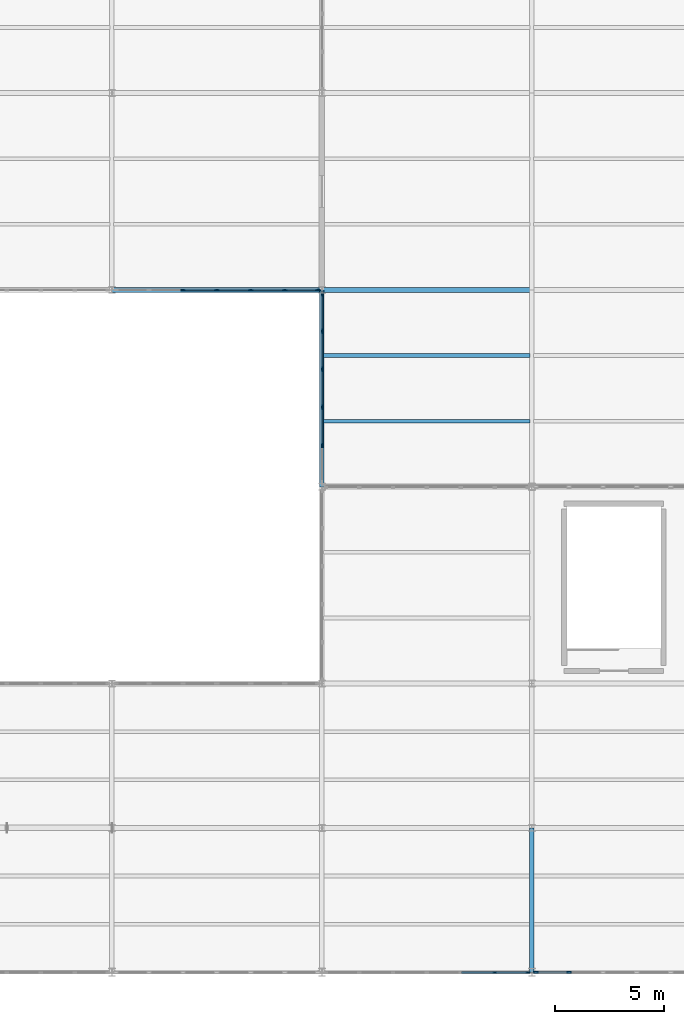
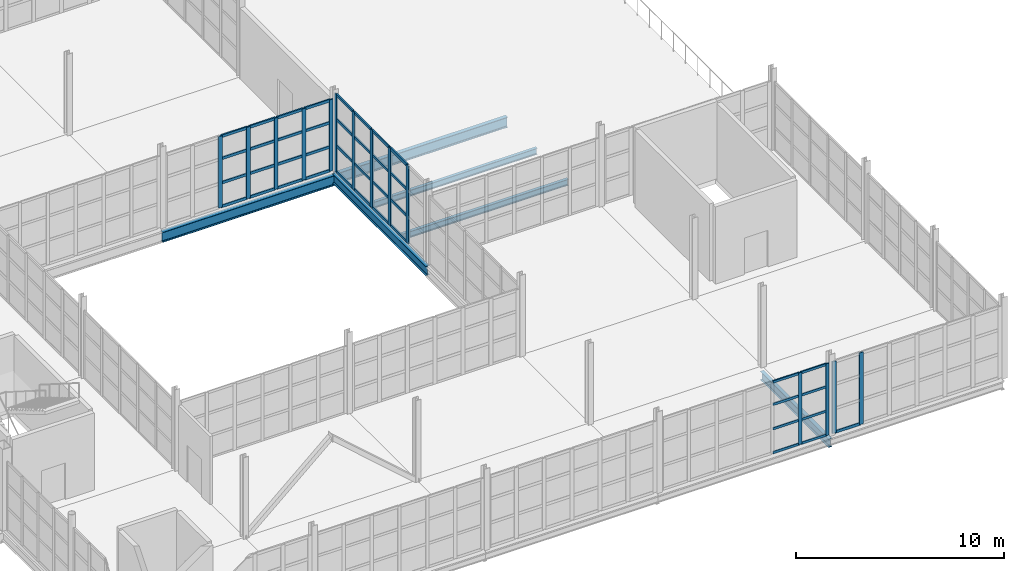
# One storey, part 64 of 120: 55 members, 6 beams, 4 elements without a shape of their own.
"""IFC4 building model written with IfcOpenShell, lengths in metres."""

from ifc_helpers import new_model, si_unit, direction, frame, origin, origin_2d, place, context, subcontext, project, spatial, rectangle, i_section, extrude, material, layer, layer_set, material_profile, profile_set, type_object, element, aggregate, save


model = new_model("IFC4")

# Units and contexts
model_context = context("Model", 3, precision=1e-05, world=origin(), true_north=direction((0.0, 1.0)))
body_context = subcontext(model_context, "Body", "Model", "MODEL_VIEW")
ifc_project = project(units=[si_unit("LENGTHUNIT", "METRE"), si_unit("AREAUNIT", "SQUARE_METRE"), si_unit("VOLUMEUNIT", "CUBIC_METRE"), si_unit("PLANEANGLEUNIT", "RADIAN"), si_unit("MASSUNIT", "GRAM", prefix="KILO")], contexts=[model_context])

# Site, building, storey
site_placement = place(None, origin())
site = spatial("IfcSite", under=ifc_project, at=site_placement, CompositionType="ELEMENT")
building_placement = place(site_placement, origin())
building = spatial("IfcBuilding", under=site, at=building_placement, Name="Zarnetskaya Central Station", CompositionType="ELEMENT")
storey_placement = place(building_placement, frame((0.0, 0.0, 5.39990234375)))
storey = spatial("IfcBuildingStorey", under=building, at=storey_placement, Name="L01", CompositionType="ELEMENT", Elevation=5.39990234375)

# Beams
ifc_material_1 = material(Name="Steel S355", Category="steel")
ifc_material_profile_1 = material_profile(ifc_material_1, i_section(OverallWidth=0.169921875, OverallDepth=0.360107421875, WebThickness=0.008056640625, FlangeThickness=0.0126953125, FilletRadius=0.01806640625, at=origin_2d()), Name="IPE 360")
ifc_profile_set_1 = profile_set([ifc_material_profile_1], Name="Steel S355")
beam_type_1 = type_object("IfcBeamType", Name="BM-SEC-360", PredefinedType="BEAM", material=ifc_profile_set_1)
for number, where, z_axis, x_axis, name in (
    (1, (153.679931640625, 25.199951171875, -0.39990234375), (1.0, 0.0, 0.0), (0.0, 1.0, 0.0), "Secondary floor beam SEC-L01-Z518-ST-45-1"),
    (2, (153.679931640625, 28.199951171875, -0.39990234375), (1.0, 0.0, 0.0), (0.0, 1.0, 0.0), "Secondary floor beam SEC-L01-Z518-ST-45-2"),
):
    element("IfcBeam", number, at=place(storey_placement, frame(where, z_axis=z_axis, x_axis=x_axis)), inside=storey, type_object=beam_type_1, Name=name, PredefinedType="BEAM", context=body_context, shape_type="SweptSolid", body=[
        extrude(i_section(OverallWidth=0.169921875, OverallDepth=0.360107421875, WebThickness=0.008056640625, FlangeThickness=0.0126953125, FilletRadius=0.01806640625, at=origin_2d()), origin(), (0.0, 0.0, 1.0), 9.440185546875),
    ])

# Curtain wall, members
ifc_material_2 = material(Name="Low-E insulated glass", Category="glass")
ifc_layer = layer(ifc_material_2, 0.159912109375, Name="Low-E insulated glass", Category="glass")
ifc_layer_set = layer_set([ifc_layer], Name="Low-E insulated glass")
curtain_wall_type = type_object("IfcCurtainWallType", Name="CW-SYS-06", PredefinedType="USERDEFINED", material=ifc_layer_set)
curtain_wall_1_placement = place(storey_placement, origin())
curtain_wall_1 = element("IfcCurtainWall", 3, at=curtain_wall_1_placement, inside=storey, type_object=curtain_wall_type, Name="Curtain wall CW-L01-123", ObjectType="CURTAIN WALL", PredefinedType="USERDEFINED")
ifc_material_3 = material(Name="Anodised aluminium", Category="aluminium")
ifc_material_profile_2 = material_profile(ifc_material_3, rectangle(XDim=0.070068359375, YDim=0.179931640625, at=origin_2d()), Name="ALU MULL 70x180")
ifc_profile_set_2 = profile_set([ifc_material_profile_2], Name="Anodised aluminium")
member_type_1 = type_object("IfcMemberType", Name="CW-MULL-180", PredefinedType="MULLION", material=ifc_profile_set_2)
member_1_placement = place(storey_placement, frame((163.014892578125, 0.0, 0.0), z_axis=(0.0, 0.0, 1.0), x_axis=(0.0, -1.0, 0.0)))
member_1 = element("IfcMember", 4, at=member_1_placement, type_object=member_type_1, Name="CW-02 mullion 1", PredefinedType="MULLION", context=body_context, shape_type="SweptSolid", body=[
    extrude(rectangle(XDim=0.070068359375, YDim=0.179931640625, at=origin_2d()), origin(), (0.0, 0.0, 1.0), 4.22021484375),
])
member_2_placement = place(storey_placement, frame((161.5, 0.0, 0.0), z_axis=(0.0, 0.0, 1.0), x_axis=(0.0, -1.0, 0.0)))
member_2 = element("IfcMember", 5, at=member_2_placement, type_object=member_type_1, Name="CW-02 mullion 2", PredefinedType="MULLION", context=body_context, shape_type="SweptSolid", body=[
    extrude(rectangle(XDim=0.070068359375, YDim=0.179931640625, at=origin_2d()), origin(), (0.0, 0.0, 1.0), 4.22021484375),
])

curtain_wall_2_placement = place(storey_placement, origin())
curtain_wall_2 = element("IfcCurtainWall", 6, at=curtain_wall_2_placement, inside=storey, type_object=curtain_wall_type, Name="Curtain wall CW-L01-116", ObjectType="CURTAIN WALL", PredefinedType="USERDEFINED")
ifc_material_profile_3 = material_profile(ifc_material_3, rectangle(XDim=0.080078125, YDim=0.219970703125, at=origin_2d()), Name="ALU MULL 80x220")
ifc_profile_set_3 = profile_set([ifc_material_profile_3], Name="Anodised aluminium")
member_type_2 = type_object("IfcMemberType", Name="CW-MULL-220", PredefinedType="MULLION", material=ifc_profile_set_3)
member_3_placement = place(storey_placement, frame((153.60009765625, 31.010009765625, 0.0), z_axis=(0.0, 0.0, 1.0), x_axis=(1.0, 0.0, 0.0)))
member_3 = element("IfcMember", 7, at=member_3_placement, type_object=member_type_2, Name="CW-02 mullion 1", PredefinedType="MULLION", context=body_context, shape_type="SweptSolid", body=[
    extrude(rectangle(XDim=0.080078125, YDim=0.219970703125, at=origin_2d()), origin(), (0.0, 0.0, 1.0), 4.570068359375),
])
member_4_placement = place(storey_placement, frame((153.60009765625, 29.31005859375, 0.0), z_axis=(0.0, 0.0, 1.0), x_axis=(1.0, 0.0, 0.0)))
member_4 = element("IfcMember", 8, at=member_4_placement, type_object=member_type_2, Name="CW-02 mullion 2", PredefinedType="MULLION", context=body_context, shape_type="SweptSolid", body=[
    extrude(rectangle(XDim=0.080078125, YDim=0.219970703125, at=origin_2d()), origin(), (0.0, 0.0, 1.0), 4.570068359375),
])
member_5_placement = place(storey_placement, frame((153.60009765625, 27.570068359375, 0.0), z_axis=(0.0, 0.0, 1.0), x_axis=(1.0, 0.0, 0.0)))
member_5 = element("IfcMember", 9, at=member_5_placement, type_object=member_type_2, Name="CW-02 mullion 3", PredefinedType="MULLION", context=body_context, shape_type="SweptSolid", body=[
    extrude(rectangle(XDim=0.080078125, YDim=0.219970703125, at=origin_2d()), origin(), (0.0, 0.0, 1.0), 4.570068359375),
])
member_6_placement = place(storey_placement, frame((153.60009765625, 25.830078125, 0.0), z_axis=(0.0, 0.0, 1.0), x_axis=(1.0, 0.0, 0.0)))
member_6 = element("IfcMember", 10, at=member_6_placement, type_object=member_type_2, Name="CW-02 mullion 4", PredefinedType="MULLION", context=body_context, shape_type="SweptSolid", body=[
    extrude(rectangle(XDim=0.080078125, YDim=0.219970703125, at=origin_2d()), origin(), (0.0, 0.0, 1.0), 4.570068359375),
])
member_7_placement = place(storey_placement, frame((153.60009765625, 24.090087890625, 0.0), z_axis=(0.0, 0.0, 1.0), x_axis=(1.0, 0.0, 0.0)))
member_7 = element("IfcMember", 11, at=member_7_placement, type_object=member_type_2, Name="CW-02 mullion 5", PredefinedType="MULLION", context=body_context, shape_type="SweptSolid", body=[
    extrude(rectangle(XDim=0.080078125, YDim=0.219970703125, at=origin_2d()), origin(), (0.0, 0.0, 1.0), 4.570068359375),
])

curtain_wall_3_placement = place(storey_placement, origin())
curtain_wall_3 = element("IfcCurtainWall", 12, at=curtain_wall_3_placement, inside=storey, type_object=curtain_wall_type, Name="Curtain wall CW-L01-122", ObjectType="CURTAIN WALL", PredefinedType="USERDEFINED")
member_8_placement = place(storey_placement, frame((164.89990234375, 0.0, 0.0), z_axis=(0.0, 0.0, 1.0), x_axis=(0.0, -1.0, 0.0)))
member_8 = element("IfcMember", 13, at=member_8_placement, type_object=member_type_2, Name="CW-02 mullion 6", PredefinedType="MULLION", context=body_context, shape_type="SweptSolid", body=[
    extrude(rectangle(XDim=0.080078125, YDim=0.219970703125, at=origin_2d()), origin(), (0.0, 0.0, 1.0), 4.22021484375),
])
member_9_placement = place(storey_placement, frame((163.389892578125, 0.0, 0.0), z_axis=(0.0, 0.0, 1.0), x_axis=(0.0, -1.0, 0.0)))
member_9 = element("IfcMember", 14, at=member_9_placement, type_object=member_type_2, Name="CW-02 mullion 7", PredefinedType="MULLION", context=body_context, shape_type="SweptSolid", body=[
    extrude(rectangle(XDim=0.080078125, YDim=0.219970703125, at=origin_2d()), origin(), (0.0, 0.0, 1.0), 4.22021484375),
])

curtain_wall_4_placement = place(storey_placement, origin())
curtain_wall_4 = element("IfcCurtainWall", 15, at=curtain_wall_4_placement, inside=storey, type_object=curtain_wall_type, Name="Curtain wall CW-L01-130", ObjectType="CURTAIN WALL", PredefinedType="USERDEFINED")
member_10_placement = place(storey_placement, frame((153.409912109375, 31.199951171875, 0.0), z_axis=(0.0, 0.0, 1.0), x_axis=(0.0, -1.0, 0.0)))
member_10 = element("IfcMember", 16, at=member_10_placement, type_object=member_type_2, Name="CW-02 mullion 1", PredefinedType="MULLION", context=body_context, shape_type="SweptSolid", body=[
    extrude(rectangle(XDim=0.080078125, YDim=0.219970703125, at=origin_2d()), origin(), (0.0, 0.0, 1.0), 4.2001953125),
])
member_11_placement = place(storey_placement, frame((151.89990234375, 31.199951171875, 0.0), z_axis=(0.0, 0.0, 1.0), x_axis=(0.0, -1.0, 0.0)))
member_11 = element("IfcMember", 17, at=member_11_placement, type_object=member_type_2, Name="CW-02 mullion 2", PredefinedType="MULLION", context=body_context, shape_type="SweptSolid", body=[
    extrude(rectangle(XDim=0.080078125, YDim=0.219970703125, at=origin_2d()), origin(), (0.0, 0.0, 1.0), 4.2001953125),
])
member_12_placement = place(storey_placement, frame((150.35009765625, 31.199951171875, 0.0), z_axis=(0.0, 0.0, 1.0), x_axis=(0.0, -1.0, 0.0)))
member_12 = element("IfcMember", 18, at=member_12_placement, type_object=member_type_2, Name="CW-02 mullion 3", PredefinedType="MULLION", context=body_context, shape_type="SweptSolid", body=[
    extrude(rectangle(XDim=0.080078125, YDim=0.219970703125, at=origin_2d()), origin(), (0.0, 0.0, 1.0), 4.2001953125),
])
member_13_placement = place(storey_placement, frame((148.800048828125, 31.199951171875, 0.0), z_axis=(0.0, 0.0, 1.0), x_axis=(0.0, -1.0, 0.0)))
member_13 = element("IfcMember", 19, at=member_13_placement, type_object=member_type_2, Name="CW-02 mullion 4", PredefinedType="MULLION", context=body_context, shape_type="SweptSolid", body=[
    extrude(rectangle(XDim=0.080078125, YDim=0.219970703125, at=origin_2d()), origin(), (0.0, 0.0, 1.0), 4.2001953125),
])
member_14_placement = place(storey_placement, frame((147.25, 31.199951171875, 0.0), z_axis=(0.0, 0.0, 1.0), x_axis=(0.0, -1.0, 0.0)))
member_14 = element("IfcMember", 20, at=member_14_placement, type_object=member_type_2, Name="CW-02 mullion 5", PredefinedType="MULLION", context=body_context, shape_type="SweptSolid", body=[
    extrude(rectangle(XDim=0.080078125, YDim=0.219970703125, at=origin_2d()), origin(), (0.0, 0.0, 1.0), 4.2001953125),
])

# Member
ifc_material_profile_4 = material_profile(ifc_material_3, rectangle(XDim=0.070068359375, YDim=0.139892578125, at=origin_2d()), Name="ALU TRAN 70x140")
ifc_profile_set_4 = profile_set([ifc_material_profile_4], Name="Anodised aluminium")
member_type_3 = type_object("IfcMemberType", Name="CW-TRAN-140", PredefinedType="USERDEFINED", material=ifc_profile_set_4)
member_15_placement = place(storey_placement, frame((162.97998046875, 0.0, 0.03515625), z_axis=(-1.0, 0.0, 0.0), x_axis=(0.0, -1.0, 0.0)))
member_15 = element("IfcMember", 21, at=member_15_placement, type_object=member_type_3, Name="CW-02 transom 1.1", ObjectType="TRANSOM", PredefinedType="USERDEFINED", context=body_context, shape_type="SweptSolid", body=[
    extrude(rectangle(XDim=0.070068359375, YDim=0.139892578125, at=origin_2d()), origin(), (0.0, 0.0, 1.0), 1.445068359375),
])

member_16_placement = place(storey_placement, frame((162.97998046875, 0.0, 1.43505859375), z_axis=(-1.0, 0.0, 0.0), x_axis=(0.0, -1.0, 0.0)))
member_16 = element("IfcMember", 22, at=member_16_placement, type_object=member_type_3, Name="CW-02 transom 1.2", ObjectType="TRANSOM", PredefinedType="USERDEFINED", context=body_context, shape_type="SweptSolid", body=[
    extrude(rectangle(XDim=0.070068359375, YDim=0.139892578125, at=origin_2d()), origin(), (0.0, 0.0, 1.0), 1.445068359375),
])

member_17_placement = place(storey_placement, frame((162.97998046875, 0.0, 2.8701171875), z_axis=(-1.0, 0.0, 0.0), x_axis=(0.0, -1.0, 0.0)))
member_17 = element("IfcMember", 23, at=member_17_placement, type_object=member_type_3, Name="CW-02 transom 1.3", ObjectType="TRANSOM", PredefinedType="USERDEFINED", context=body_context, shape_type="SweptSolid", body=[
    extrude(rectangle(XDim=0.070068359375, YDim=0.139892578125, at=origin_2d()), origin(), (0.0, 0.0, 1.0), 1.445068359375),
])

member_18_placement = place(storey_placement, frame((162.97998046875, 0.0, 4.18505859375), z_axis=(-1.0, 0.0, 0.0), x_axis=(0.0, -1.0, 0.0)))
member_18 = element("IfcMember", 24, at=member_18_placement, type_object=member_type_3, Name="CW-02 transom 1.4", ObjectType="TRANSOM", PredefinedType="USERDEFINED", context=body_context, shape_type="SweptSolid", body=[
    extrude(rectangle(XDim=0.070068359375, YDim=0.139892578125, at=origin_2d()), origin(), (0.0, 0.0, 1.0), 1.445068359375),
])

member_19_placement = place(storey_placement, frame((161.465087890625, 0.0, 0.03515625), z_axis=(-1.0, 0.0, 0.0), x_axis=(0.0, -1.0, 0.0)))
member_19 = element("IfcMember", 25, at=member_19_placement, type_object=member_type_3, Name="CW-02 transom 2.1", ObjectType="TRANSOM", PredefinedType="USERDEFINED", context=body_context, shape_type="SweptSolid", body=[
    extrude(rectangle(XDim=0.070068359375, YDim=0.139892578125, at=origin_2d()), origin(), (0.0, 0.0, 1.0), 1.47998046875),
])

member_20_placement = place(storey_placement, frame((161.465087890625, 0.0, 1.43505859375), z_axis=(-1.0, 0.0, 0.0), x_axis=(0.0, -1.0, 0.0)))
member_20 = element("IfcMember", 26, at=member_20_placement, type_object=member_type_3, Name="CW-02 transom 2.2", ObjectType="TRANSOM", PredefinedType="USERDEFINED", context=body_context, shape_type="SweptSolid", body=[
    extrude(rectangle(XDim=0.070068359375, YDim=0.139892578125, at=origin_2d()), origin(), (0.0, 0.0, 1.0), 1.47998046875),
])

member_21_placement = place(storey_placement, frame((161.465087890625, 0.0, 2.8701171875), z_axis=(-1.0, 0.0, 0.0), x_axis=(0.0, -1.0, 0.0)))
member_21 = element("IfcMember", 27, at=member_21_placement, type_object=member_type_3, Name="CW-02 transom 2.3", ObjectType="TRANSOM", PredefinedType="USERDEFINED", context=body_context, shape_type="SweptSolid", body=[
    extrude(rectangle(XDim=0.070068359375, YDim=0.139892578125, at=origin_2d()), origin(), (0.0, 0.0, 1.0), 1.47998046875),
])

member_22_placement = place(storey_placement, frame((161.465087890625, 0.0, 4.18505859375), z_axis=(-1.0, 0.0, 0.0), x_axis=(0.0, -1.0, 0.0)))
member_22 = element("IfcMember", 28, at=member_22_placement, type_object=member_type_3, Name="CW-02 transom 2.4", ObjectType="TRANSOM", PredefinedType="USERDEFINED", context=body_context, shape_type="SweptSolid", body=[
    extrude(rectangle(XDim=0.070068359375, YDim=0.139892578125, at=origin_2d()), origin(), (0.0, 0.0, 1.0), 1.47998046875),
])

aggregate(curtain_wall_1, [member_1, member_2, member_15, member_16, member_17, member_18, member_19, member_20, member_21, member_22])

ifc_material_profile_5 = material_profile(ifc_material_3, rectangle(XDim=0.080078125, YDim=0.159912109375, at=origin_2d()), Name="ALU TRAN 80x160")
ifc_profile_set_5 = profile_set([ifc_material_profile_5], Name="Anodised aluminium")
member_type_4 = type_object("IfcMemberType", Name="CW-TRAN-160", PredefinedType="USERDEFINED", material=ifc_profile_set_5)
member_23_placement = place(storey_placement, frame((153.60009765625, 30.969970703125, 0.0400390625), z_axis=(0.0, -1.0, 0.0), x_axis=(1.0, 0.0, 0.0)))
member_23 = element("IfcMember", 29, at=member_23_placement, type_object=member_type_4, Name="CW-02 transom 1.1", ObjectType="TRANSOM", PredefinedType="USERDEFINED", context=body_context, shape_type="SweptSolid", body=[
    extrude(rectangle(XDim=0.080078125, YDim=0.159912109375, at=origin_2d()), origin(), (0.0, 0.0, 1.0), 1.619873046875),
])

member_24_placement = place(storey_placement, frame((153.60009765625, 30.969970703125, 1.55419921875), z_axis=(0.0, -1.0, 0.0), x_axis=(1.0, 0.0, 0.0)))
member_24 = element("IfcMember", 30, at=member_24_placement, type_object=member_type_4, Name="CW-02 transom 1.2", ObjectType="TRANSOM", PredefinedType="USERDEFINED", context=body_context, shape_type="SweptSolid", body=[
    extrude(rectangle(XDim=0.080078125, YDim=0.159912109375, at=origin_2d()), origin(), (0.0, 0.0, 1.0), 1.619873046875),
])

member_25_placement = place(storey_placement, frame((153.60009765625, 30.969970703125, 3.108154296875), z_axis=(0.0, -1.0, 0.0), x_axis=(1.0, 0.0, 0.0)))
member_25 = element("IfcMember", 31, at=member_25_placement, type_object=member_type_4, Name="CW-02 transom 1.3", ObjectType="TRANSOM", PredefinedType="USERDEFINED", context=body_context, shape_type="SweptSolid", body=[
    extrude(rectangle(XDim=0.080078125, YDim=0.159912109375, at=origin_2d()), origin(), (0.0, 0.0, 1.0), 1.619873046875),
])

member_26_placement = place(storey_placement, frame((153.60009765625, 30.969970703125, 4.530029296875), z_axis=(0.0, -1.0, 0.0), x_axis=(1.0, 0.0, 0.0)))
member_26 = element("IfcMember", 32, at=member_26_placement, type_object=member_type_4, Name="CW-02 transom 1.4", ObjectType="TRANSOM", PredefinedType="USERDEFINED", context=body_context, shape_type="SweptSolid", body=[
    extrude(rectangle(XDim=0.080078125, YDim=0.159912109375, at=origin_2d()), origin(), (0.0, 0.0, 1.0), 1.619873046875),
])

member_27_placement = place(storey_placement, frame((153.60009765625, 29.27001953125, 0.0400390625), z_axis=(0.0, -1.0, 0.0), x_axis=(1.0, 0.0, 0.0)))
member_27 = element("IfcMember", 33, at=member_27_placement, type_object=member_type_4, Name="CW-02 transom 2.1", ObjectType="TRANSOM", PredefinedType="USERDEFINED", context=body_context, shape_type="SweptSolid", body=[
    extrude(rectangle(XDim=0.080078125, YDim=0.159912109375, at=origin_2d()), origin(), (0.0, 0.0, 1.0), 1.659912109375),
])

member_28_placement = place(storey_placement, frame((153.60009765625, 29.27001953125, 1.55419921875), z_axis=(0.0, -1.0, 0.0), x_axis=(1.0, 0.0, 0.0)))
member_28 = element("IfcMember", 34, at=member_28_placement, type_object=member_type_4, Name="CW-02 transom 2.2", ObjectType="TRANSOM", PredefinedType="USERDEFINED", context=body_context, shape_type="SweptSolid", body=[
    extrude(rectangle(XDim=0.080078125, YDim=0.159912109375, at=origin_2d()), origin(), (0.0, 0.0, 1.0), 1.659912109375),
])

member_29_placement = place(storey_placement, frame((153.60009765625, 29.27001953125, 3.108154296875), z_axis=(0.0, -1.0, 0.0), x_axis=(1.0, 0.0, 0.0)))
member_29 = element("IfcMember", 35, at=member_29_placement, type_object=member_type_4, Name="CW-02 transom 2.3", ObjectType="TRANSOM", PredefinedType="USERDEFINED", context=body_context, shape_type="SweptSolid", body=[
    extrude(rectangle(XDim=0.080078125, YDim=0.159912109375, at=origin_2d()), origin(), (0.0, 0.0, 1.0), 1.659912109375),
])

member_30_placement = place(storey_placement, frame((153.60009765625, 29.27001953125, 4.530029296875), z_axis=(0.0, -1.0, 0.0), x_axis=(1.0, 0.0, 0.0)))
member_30 = element("IfcMember", 36, at=member_30_placement, type_object=member_type_4, Name="CW-02 transom 2.4", ObjectType="TRANSOM", PredefinedType="USERDEFINED", context=body_context, shape_type="SweptSolid", body=[
    extrude(rectangle(XDim=0.080078125, YDim=0.159912109375, at=origin_2d()), origin(), (0.0, 0.0, 1.0), 1.659912109375),
])

member_31_placement = place(storey_placement, frame((153.60009765625, 27.530029296875, 0.0400390625), z_axis=(0.0, -1.0, 0.0), x_axis=(1.0, 0.0, 0.0)))
member_31 = element("IfcMember", 37, at=member_31_placement, type_object=member_type_4, Name="CW-02 transom 3.1", ObjectType="TRANSOM", PredefinedType="USERDEFINED", context=body_context, shape_type="SweptSolid", body=[
    extrude(rectangle(XDim=0.080078125, YDim=0.159912109375, at=origin_2d()), origin(), (0.0, 0.0, 1.0), 1.659912109375),
])

member_32_placement = place(storey_placement, frame((153.60009765625, 27.530029296875, 1.55419921875), z_axis=(0.0, -1.0, 0.0), x_axis=(1.0, 0.0, 0.0)))
member_32 = element("IfcMember", 38, at=member_32_placement, type_object=member_type_4, Name="CW-02 transom 3.2", ObjectType="TRANSOM", PredefinedType="USERDEFINED", context=body_context, shape_type="SweptSolid", body=[
    extrude(rectangle(XDim=0.080078125, YDim=0.159912109375, at=origin_2d()), origin(), (0.0, 0.0, 1.0), 1.659912109375),
])

member_33_placement = place(storey_placement, frame((153.60009765625, 27.530029296875, 3.108154296875), z_axis=(0.0, -1.0, 0.0), x_axis=(1.0, 0.0, 0.0)))
member_33 = element("IfcMember", 39, at=member_33_placement, type_object=member_type_4, Name="CW-02 transom 3.3", ObjectType="TRANSOM", PredefinedType="USERDEFINED", context=body_context, shape_type="SweptSolid", body=[
    extrude(rectangle(XDim=0.080078125, YDim=0.159912109375, at=origin_2d()), origin(), (0.0, 0.0, 1.0), 1.659912109375),
])

member_34_placement = place(storey_placement, frame((153.60009765625, 27.530029296875, 4.530029296875), z_axis=(0.0, -1.0, 0.0), x_axis=(1.0, 0.0, 0.0)))
member_34 = element("IfcMember", 40, at=member_34_placement, type_object=member_type_4, Name="CW-02 transom 3.4", ObjectType="TRANSOM", PredefinedType="USERDEFINED", context=body_context, shape_type="SweptSolid", body=[
    extrude(rectangle(XDim=0.080078125, YDim=0.159912109375, at=origin_2d()), origin(), (0.0, 0.0, 1.0), 1.659912109375),
])

member_35_placement = place(storey_placement, frame((153.60009765625, 25.7900390625, 0.0400390625), z_axis=(0.0, -1.0, 0.0), x_axis=(1.0, 0.0, 0.0)))
member_35 = element("IfcMember", 41, at=member_35_placement, type_object=member_type_4, Name="CW-02 transom 4.1", ObjectType="TRANSOM", PredefinedType="USERDEFINED", context=body_context, shape_type="SweptSolid", body=[
    extrude(rectangle(XDim=0.080078125, YDim=0.159912109375, at=origin_2d()), origin(), (0.0, 0.0, 1.0), 1.66015625),
])

member_36_placement = place(storey_placement, frame((153.60009765625, 25.7900390625, 1.55419921875), z_axis=(0.0, -1.0, 0.0), x_axis=(1.0, 0.0, 0.0)))
member_36 = element("IfcMember", 42, at=member_36_placement, type_object=member_type_4, Name="CW-02 transom 4.2", ObjectType="TRANSOM", PredefinedType="USERDEFINED", context=body_context, shape_type="SweptSolid", body=[
    extrude(rectangle(XDim=0.080078125, YDim=0.159912109375, at=origin_2d()), origin(), (0.0, 0.0, 1.0), 1.66015625),
])

member_37_placement = place(storey_placement, frame((153.60009765625, 25.7900390625, 3.108154296875), z_axis=(0.0, -1.0, 0.0), x_axis=(1.0, 0.0, 0.0)))
member_37 = element("IfcMember", 43, at=member_37_placement, type_object=member_type_4, Name="CW-02 transom 4.3", ObjectType="TRANSOM", PredefinedType="USERDEFINED", context=body_context, shape_type="SweptSolid", body=[
    extrude(rectangle(XDim=0.080078125, YDim=0.159912109375, at=origin_2d()), origin(), (0.0, 0.0, 1.0), 1.66015625),
])

member_38_placement = place(storey_placement, frame((153.60009765625, 25.7900390625, 4.530029296875), z_axis=(0.0, -1.0, 0.0), x_axis=(1.0, 0.0, 0.0)))
member_38 = element("IfcMember", 44, at=member_38_placement, type_object=member_type_4, Name="CW-02 transom 4.4", ObjectType="TRANSOM", PredefinedType="USERDEFINED", context=body_context, shape_type="SweptSolid", body=[
    extrude(rectangle(XDim=0.080078125, YDim=0.159912109375, at=origin_2d()), origin(), (0.0, 0.0, 1.0), 1.66015625),
])

aggregate(curtain_wall_2, [member_3, member_4, member_5, member_6, member_7, member_23, member_24, member_25, member_26, member_27, member_28, member_29, member_30, member_31, member_32, member_33, member_34, member_35, member_36, member_37, member_38])

member_39_placement = place(storey_placement, frame((164.860107421875, 0.0, 0.0400390625), z_axis=(-1.0, 0.0, 0.0), x_axis=(0.0, -1.0, 0.0)))
member_39 = element("IfcMember", 45, at=member_39_placement, type_object=member_type_4, Name="CW-02 transom 6.1", ObjectType="TRANSOM", PredefinedType="USERDEFINED", context=body_context, shape_type="SweptSolid", body=[
    extrude(rectangle(XDim=0.080078125, YDim=0.159912109375, at=origin_2d()), origin(), (0.0, 0.0, 1.0), 1.43017578125),
])

aggregate(curtain_wall_3, [member_8, member_9, member_39])

member_40_placement = place(storey_placement, frame((153.3701171875, 31.199951171875, 0.0400390625), z_axis=(-1.0, 0.0, 0.0), x_axis=(0.0, -1.0, 0.0)))
member_40 = element("IfcMember", 46, at=member_40_placement, type_object=member_type_4, Name="CW-02 transom 1.1", ObjectType="TRANSOM", PredefinedType="USERDEFINED", context=body_context, shape_type="SweptSolid", body=[
    extrude(rectangle(XDim=0.080078125, YDim=0.159912109375, at=origin_2d()), origin(), (0.0, 0.0, 1.0), 1.43017578125),
])

member_41_placement = place(storey_placement, frame((153.3701171875, 31.199951171875, 1.427978515625), z_axis=(-1.0, 0.0, 0.0), x_axis=(0.0, -1.0, 0.0)))
member_41 = element("IfcMember", 47, at=member_41_placement, type_object=member_type_4, Name="CW-02 transom 1.2", ObjectType="TRANSOM", PredefinedType="USERDEFINED", context=body_context, shape_type="SweptSolid", body=[
    extrude(rectangle(XDim=0.080078125, YDim=0.159912109375, at=origin_2d()), origin(), (0.0, 0.0, 1.0), 1.43017578125),
])

member_42_placement = place(storey_placement, frame((153.3701171875, 31.199951171875, 2.856201171875), z_axis=(-1.0, 0.0, 0.0), x_axis=(0.0, -1.0, 0.0)))
member_42 = element("IfcMember", 48, at=member_42_placement, type_object=member_type_4, Name="CW-02 transom 1.3", ObjectType="TRANSOM", PredefinedType="USERDEFINED", context=body_context, shape_type="SweptSolid", body=[
    extrude(rectangle(XDim=0.080078125, YDim=0.159912109375, at=origin_2d()), origin(), (0.0, 0.0, 1.0), 1.43017578125),
])

member_43_placement = place(storey_placement, frame((153.3701171875, 31.199951171875, 4.16015625), z_axis=(-1.0, 0.0, 0.0), x_axis=(0.0, -1.0, 0.0)))
member_43 = element("IfcMember", 49, at=member_43_placement, type_object=member_type_4, Name="CW-02 transom 1.4", ObjectType="TRANSOM", PredefinedType="USERDEFINED", context=body_context, shape_type="SweptSolid", body=[
    extrude(rectangle(XDim=0.080078125, YDim=0.159912109375, at=origin_2d()), origin(), (0.0, 0.0, 1.0), 1.43017578125),
])

member_44_placement = place(storey_placement, frame((151.860107421875, 31.199951171875, 0.0400390625), z_axis=(-1.0, 0.0, 0.0), x_axis=(0.0, -1.0, 0.0)))
member_44 = element("IfcMember", 50, at=member_44_placement, type_object=member_type_4, Name="CW-02 transom 2.1", ObjectType="TRANSOM", PredefinedType="USERDEFINED", context=body_context, shape_type="SweptSolid", body=[
    extrude(rectangle(XDim=0.080078125, YDim=0.159912109375, at=origin_2d()), origin(), (0.0, 0.0, 1.0), 1.47021484375),
])

member_45_placement = place(storey_placement, frame((151.860107421875, 31.199951171875, 1.427978515625), z_axis=(-1.0, 0.0, 0.0), x_axis=(0.0, -1.0, 0.0)))
member_45 = element("IfcMember", 51, at=member_45_placement, type_object=member_type_4, Name="CW-02 transom 2.2", ObjectType="TRANSOM", PredefinedType="USERDEFINED", context=body_context, shape_type="SweptSolid", body=[
    extrude(rectangle(XDim=0.080078125, YDim=0.159912109375, at=origin_2d()), origin(), (0.0, 0.0, 1.0), 1.47021484375),
])

member_46_placement = place(storey_placement, frame((151.860107421875, 31.199951171875, 2.856201171875), z_axis=(-1.0, 0.0, 0.0), x_axis=(0.0, -1.0, 0.0)))
member_46 = element("IfcMember", 52, at=member_46_placement, type_object=member_type_4, Name="CW-02 transom 2.3", ObjectType="TRANSOM", PredefinedType="USERDEFINED", context=body_context, shape_type="SweptSolid", body=[
    extrude(rectangle(XDim=0.080078125, YDim=0.159912109375, at=origin_2d()), origin(), (0.0, 0.0, 1.0), 1.47021484375),
])

member_47_placement = place(storey_placement, frame((151.860107421875, 31.199951171875, 4.16015625), z_axis=(-1.0, 0.0, 0.0), x_axis=(0.0, -1.0, 0.0)))
member_47 = element("IfcMember", 53, at=member_47_placement, type_object=member_type_4, Name="CW-02 transom 2.4", ObjectType="TRANSOM", PredefinedType="USERDEFINED", context=body_context, shape_type="SweptSolid", body=[
    extrude(rectangle(XDim=0.080078125, YDim=0.159912109375, at=origin_2d()), origin(), (0.0, 0.0, 1.0), 1.47021484375),
])

member_48_placement = place(storey_placement, frame((150.31005859375, 31.199951171875, 0.0400390625), z_axis=(-1.0, 0.0, 0.0), x_axis=(0.0, -1.0, 0.0)))
member_48 = element("IfcMember", 54, at=member_48_placement, type_object=member_type_4, Name="CW-02 transom 3.1", ObjectType="TRANSOM", PredefinedType="USERDEFINED", context=body_context, shape_type="SweptSolid", body=[
    extrude(rectangle(XDim=0.080078125, YDim=0.159912109375, at=origin_2d()), origin(), (0.0, 0.0, 1.0), 1.469970703125),
])

member_49_placement = place(storey_placement, frame((150.31005859375, 31.199951171875, 1.427978515625), z_axis=(-1.0, 0.0, 0.0), x_axis=(0.0, -1.0, 0.0)))
member_49 = element("IfcMember", 55, at=member_49_placement, type_object=member_type_4, Name="CW-02 transom 3.2", ObjectType="TRANSOM", PredefinedType="USERDEFINED", context=body_context, shape_type="SweptSolid", body=[
    extrude(rectangle(XDim=0.080078125, YDim=0.159912109375, at=origin_2d()), origin(), (0.0, 0.0, 1.0), 1.469970703125),
])

member_50_placement = place(storey_placement, frame((150.31005859375, 31.199951171875, 2.856201171875), z_axis=(-1.0, 0.0, 0.0), x_axis=(0.0, -1.0, 0.0)))
member_50 = element("IfcMember", 56, at=member_50_placement, type_object=member_type_4, Name="CW-02 transom 3.3", ObjectType="TRANSOM", PredefinedType="USERDEFINED", context=body_context, shape_type="SweptSolid", body=[
    extrude(rectangle(XDim=0.080078125, YDim=0.159912109375, at=origin_2d()), origin(), (0.0, 0.0, 1.0), 1.469970703125),
])

member_51_placement = place(storey_placement, frame((150.31005859375, 31.199951171875, 4.16015625), z_axis=(-1.0, 0.0, 0.0), x_axis=(0.0, -1.0, 0.0)))
member_51 = element("IfcMember", 57, at=member_51_placement, type_object=member_type_4, Name="CW-02 transom 3.4", ObjectType="TRANSOM", PredefinedType="USERDEFINED", context=body_context, shape_type="SweptSolid", body=[
    extrude(rectangle(XDim=0.080078125, YDim=0.159912109375, at=origin_2d()), origin(), (0.0, 0.0, 1.0), 1.469970703125),
])

member_52_placement = place(storey_placement, frame((148.760009765625, 31.199951171875, 0.0400390625), z_axis=(-1.0, 0.0, 0.0), x_axis=(0.0, -1.0, 0.0)))
member_52 = element("IfcMember", 58, at=member_52_placement, type_object=member_type_4, Name="CW-02 transom 4.1", ObjectType="TRANSOM", PredefinedType="USERDEFINED", context=body_context, shape_type="SweptSolid", body=[
    extrude(rectangle(XDim=0.080078125, YDim=0.159912109375, at=origin_2d()), origin(), (0.0, 0.0, 1.0), 1.469970703125),
])

member_53_placement = place(storey_placement, frame((148.760009765625, 31.199951171875, 1.427978515625), z_axis=(-1.0, 0.0, 0.0), x_axis=(0.0, -1.0, 0.0)))
member_53 = element("IfcMember", 59, at=member_53_placement, type_object=member_type_4, Name="CW-02 transom 4.2", ObjectType="TRANSOM", PredefinedType="USERDEFINED", context=body_context, shape_type="SweptSolid", body=[
    extrude(rectangle(XDim=0.080078125, YDim=0.159912109375, at=origin_2d()), origin(), (0.0, 0.0, 1.0), 1.469970703125),
])

member_54_placement = place(storey_placement, frame((148.760009765625, 31.199951171875, 2.856201171875), z_axis=(-1.0, 0.0, 0.0), x_axis=(0.0, -1.0, 0.0)))
member_54 = element("IfcMember", 60, at=member_54_placement, type_object=member_type_4, Name="CW-02 transom 4.3", ObjectType="TRANSOM", PredefinedType="USERDEFINED", context=body_context, shape_type="SweptSolid", body=[
    extrude(rectangle(XDim=0.080078125, YDim=0.159912109375, at=origin_2d()), origin(), (0.0, 0.0, 1.0), 1.469970703125),
])

member_55_placement = place(storey_placement, frame((148.760009765625, 31.199951171875, 4.16015625), z_axis=(-1.0, 0.0, 0.0), x_axis=(0.0, -1.0, 0.0)))
member_55 = element("IfcMember", 61, at=member_55_placement, type_object=member_type_4, Name="CW-02 transom 4.4", ObjectType="TRANSOM", PredefinedType="USERDEFINED", context=body_context, shape_type="SweptSolid", body=[
    extrude(rectangle(XDim=0.080078125, YDim=0.159912109375, at=origin_2d()), origin(), (0.0, 0.0, 1.0), 1.469970703125),
])

aggregate(curtain_wall_4, [member_10, member_11, member_12, member_13, member_14, member_40, member_41, member_42, member_43, member_44, member_45, member_46, member_47, member_48, member_49, member_50, member_51, member_52, member_53, member_54, member_55])

# Beams
ifc_material_profile_6 = material_profile(ifc_material_1, i_section(OverallWidth=0.199951171875, OverallDepth=0.5, WebThickness=0.01025390625, FlangeThickness=0.01611328125, FilletRadius=0.02099609375, at=origin_2d()), Name="IPE 500")
ifc_profile_set_6 = profile_set([ifc_material_profile_6], Name="Steel S355")
beam_type_2 = type_object("IfcBeamType", Name="GD-FLR-500", PredefinedType="USERDEFINED", material=ifc_profile_set_6)
beam_1_placement = place(storey_placement, frame((163.199951171875, 0.0, -0.52978515625), z_axis=(0.0, 1.0, 0.0), x_axis=(-1.0, 0.0, 0.0)))
element("IfcBeam", 62, at=beam_1_placement, inside=storey, type_object=beam_type_2, Name="Grid girder GY-L01-T-12", ObjectType="GIRDER", PredefinedType="USERDEFINED", context=body_context, shape_type="SweptSolid", body=[
    extrude(i_section(OverallWidth=0.199951171875, OverallDepth=0.5, WebThickness=0.01025390625, FlangeThickness=0.01611328125, FilletRadius=0.02099609375, at=origin_2d()), origin(), (0.0, 0.0, 1.0), 6.60009765625),
])
ifc_material_profile_7 = material_profile(ifc_material_1, i_section(OverallWidth=0.2099609375, OverallDepth=0.550048828125, WebThickness=0.010986328125, FlangeThickness=0.01708984375, FilletRadius=0.02392578125, at=origin_2d()), Name="IPE 550")
ifc_profile_set_7 = profile_set([ifc_material_profile_7], Name="Steel S355")
beam_type_3 = type_object("IfcBeamType", Name="GD-FLR-550", PredefinedType="USERDEFINED", material=ifc_profile_set_7)
beam_2_placement = place(storey_placement, frame((153.60009765625, 22.199951171875, -0.494873046875), z_axis=(0.0, 1.0, 0.0), x_axis=(-1.0, 0.0, 0.0)))
element("IfcBeam", 63, at=beam_2_placement, inside=storey, type_object=beam_type_3, Name="Grid girder GY-L01-S-45", ObjectType="GIRDER", PredefinedType="USERDEFINED", context=body_context, shape_type="SweptSolid", body=[
    extrude(i_section(OverallWidth=0.2099609375, OverallDepth=0.550048828125, WebThickness=0.010986328125, FlangeThickness=0.01708984375, FilletRadius=0.02392578125, at=origin_2d()), origin(), (0.0, 0.0, 1.0), 9.0),
])
ifc_material_profile_8 = material_profile(ifc_material_1, i_section(OverallWidth=0.219970703125, OverallDepth=0.60009765625, WebThickness=0.011962890625, FlangeThickness=0.01904296875, FilletRadius=0.02392578125, at=origin_2d()), Name="IPE 600")
ifc_profile_set_8 = profile_set([ifc_material_profile_8], Name="Steel S355")
beam_type_4 = type_object("IfcBeamType", Name="GD-FLR-600", PredefinedType="USERDEFINED", material=ifc_profile_set_8)
beam_3_placement = place(storey_placement, frame((144.0, 31.199951171875, -0.579833984375), z_axis=(1.0, 0.0, 0.0), x_axis=(0.0, 1.0, 0.0)))
element("IfcBeam", 64, at=beam_3_placement, inside=storey, type_object=beam_type_4, Name="Grid girder GX-L01-5-RS", ObjectType="GIRDER", PredefinedType="USERDEFINED", context=body_context, shape_type="SweptSolid", body=[
    extrude(i_section(OverallWidth=0.219970703125, OverallDepth=0.60009765625, WebThickness=0.011962890625, FlangeThickness=0.01904296875, FilletRadius=0.02392578125, at=origin_2d()), origin(), (0.0, 0.0, 1.0), 9.60009765625),
])
beam_4_placement = place(storey_placement, frame((153.60009765625, 31.199951171875, -0.52001953125), z_axis=(1.0, 0.0, 0.0), x_axis=(0.0, 1.0, 0.0)))
element("IfcBeam", 65, at=beam_4_placement, inside=storey, type_object=beam_type_4, Name="Grid girder GX-L01-5-ST", ObjectType="GIRDER", PredefinedType="USERDEFINED", context=body_context, shape_type="SweptSolid", body=[
    extrude(i_section(OverallWidth=0.219970703125, OverallDepth=0.60009765625, WebThickness=0.011962890625, FlangeThickness=0.01904296875, FilletRadius=0.02392578125, at=origin_2d()), origin(), (0.0, 0.0, 1.0), 9.599853515625),
])

save(model, "model.ifc")
